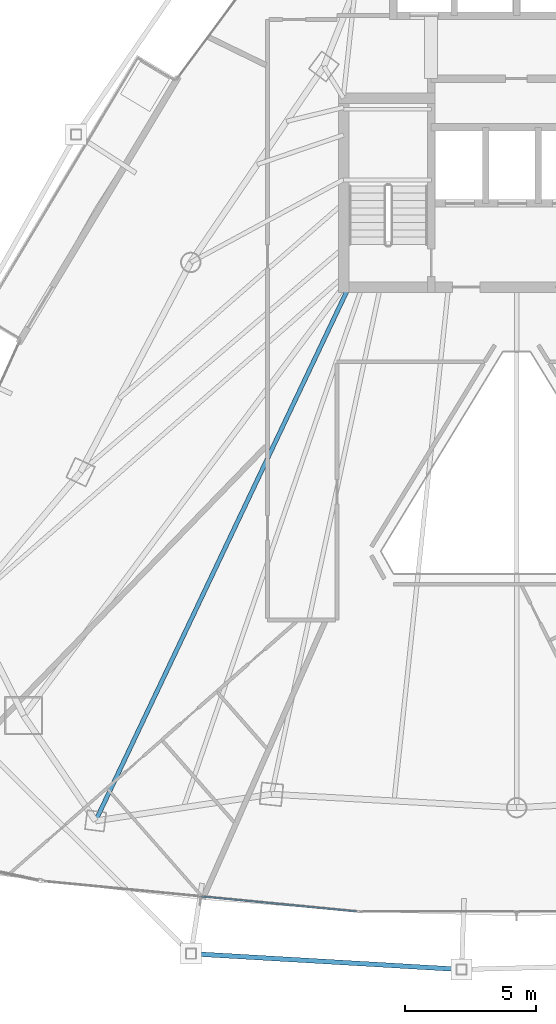
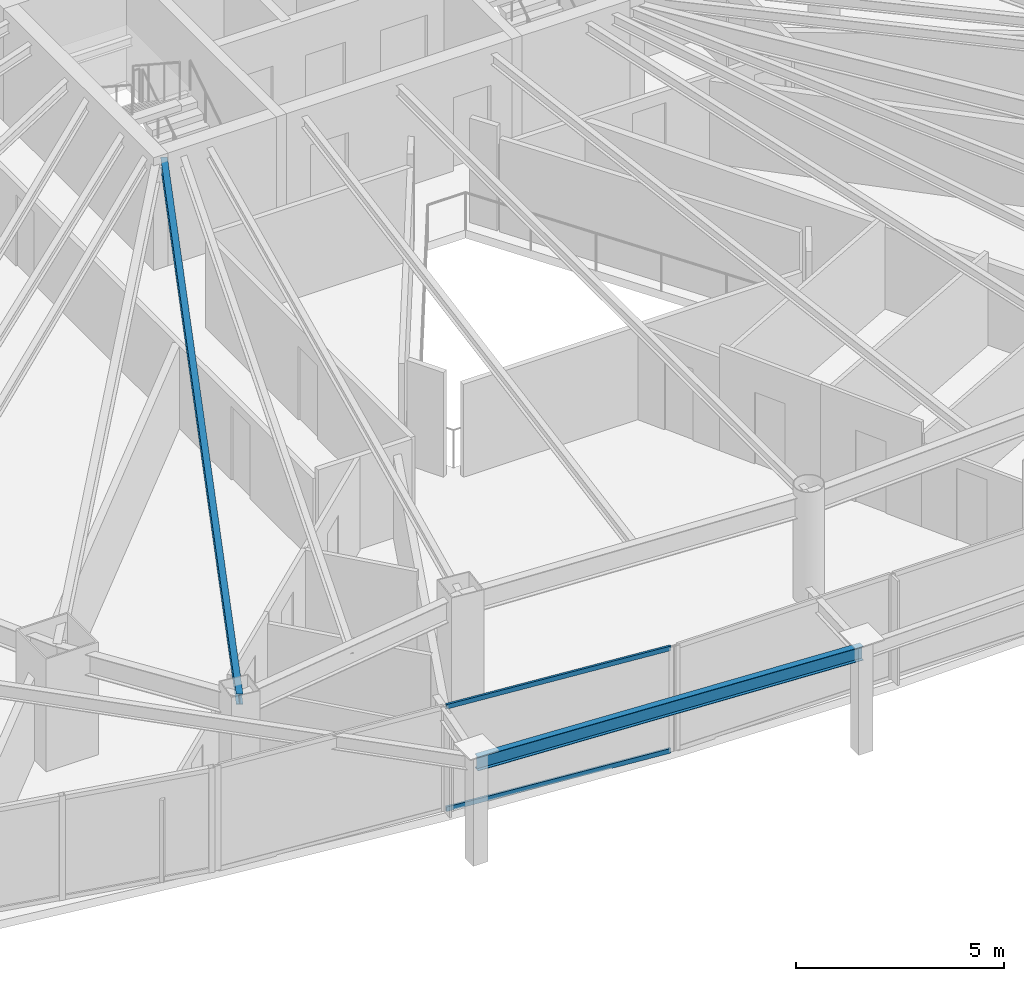
# One storey, part 6 of 31: 2 beams, 2 members, 1 element without a shape of its own.
"""IFC4 building model written with IfcOpenShell, lengths in metres."""

import ifcopenshell
import ifcopenshell.guid

model = None  # the IFC model being written
_history = None  # IfcOwnerHistory: only IFC2X3 demands one
_inside = {}  # id of a spatial element -> (the spatial element, [elements in it])
_under = {}  # id of a project, library or spatial element -> (it, [spatial elements below it])
_declared = {}  # id of a project -> (the project, [libraries it declares])
_typed = {}  # id of a type object -> (the type object, [elements of that type])
_made_of = {}  # id of a material, layer set ... -> (it, [elements and type objects made of it])


def new_model(schema):
    """Start an empty IFC model of exactly this schema.

    Asked for "IFC4X3", IfcOpenShell would pick the latest addendum, in which some entities
    have other attributes; the version numbers below select the first issue.
    IFC2X3 requires an IfcOwnerHistory on every rooted entity: one is made here for all.
    """
    global model, _history
    if schema == "IFC4X3":
        model = ifcopenshell.file(schema_version=(4, 3, 0, 0))
    else:
        model = ifcopenshell.file(schema=schema)
    _inside.clear()
    _under.clear()
    _declared.clear()
    _typed.clear()
    _made_of.clear()
    _history = None
    if model.schema == "IFC2X3":
        org = make("IfcOrganization", Name="unknown")
        user = make(
            "IfcPersonAndOrganization",
            ThePerson=make("IfcPerson", FamilyName="unknown"),
            TheOrganization=org,
        )
        app = make(
            "IfcApplication",
            ApplicationDeveloper=org,
            Version="unknown",
            ApplicationFullName="unknown",
            ApplicationIdentifier="unknown",
        )
        _history = make(
            "IfcOwnerHistory",
            OwningUser=user,
            OwningApplication=app,
            ChangeAction="ADDED",
            CreationDate=0,
        )
    return model


def make(cls, **values):
    """One entity of the class cls with the attributes given. An attribute that is None is left unset."""
    return model.create_entity(
        cls, **{name: value for name, value in values.items() if value is not None}
    )


def rooted(cls, **values):
    """An entity with a GlobalId (a new one), such as an element, a storey or a relation."""
    return make(cls, GlobalId=ifcopenshell.guid.new(), OwnerHistory=_history, **values)


def si_unit(unit_type, name, prefix=None):
    """IfcSIUnit, for example si_unit("LENGTHUNIT", "METRE", prefix="MILLI")."""
    return make("IfcSIUnit", UnitType=unit_type, Prefix=prefix, Name=name)


def assignment(units):
    """IfcUnitAssignment: the units of a project."""
    return None if units is None else make("IfcUnitAssignment", Units=units)


def point(xyz):
    """IfcCartesianPoint."""
    return None if xyz is None else make("IfcCartesianPoint", Coordinates=xyz)


def direction(xyz):
    """IfcDirection."""
    return None if xyz is None else make("IfcDirection", DirectionRatios=xyz)


def frame(location, z_axis=None, x_axis=None):
    """IfcAxis2Placement3D, a coordinate frame: its origin and axes. An axis left out is left unset."""
    return make(
        "IfcAxis2Placement3D",
        Location=point(location),
        Axis=direction(z_axis),
        RefDirection=direction(x_axis),
    )


def frame_2d(location, x_axis=None):
    """IfcAxis2Placement2D, a coordinate frame in the plane: its origin and x axis."""
    return make(
        "IfcAxis2Placement2D", Location=point(location), RefDirection=direction(x_axis)
    )


def origin():
    """The frame at (0, 0, 0) with its axes left unset."""
    return frame((0.0, 0.0, 0.0))


def origin_2d():
    """The frame at (0, 0) in the plane with its x axis left unset."""
    return frame_2d((0.0, 0.0))


def place(relative_to, where):
    """IfcLocalPlacement: puts the frame where relative to a parent placement (None: the world)."""
    return make(
        "IfcLocalPlacement", PlacementRelTo=relative_to, RelativePlacement=where
    )


def context(
    kind, dimensions, precision=None, world=None, true_north=None, identifier=None
):
    """IfcGeometricRepresentationContext, for example the 3D "Model" context."""
    return make(
        "IfcGeometricRepresentationContext",
        ContextIdentifier=identifier,
        ContextType=kind,
        CoordinateSpaceDimension=dimensions,
        Precision=precision,
        WorldCoordinateSystem=world,
        TrueNorth=true_north,
    )


def subcontext(parent, identifier, kind, view, scale=None):
    """IfcGeometricRepresentationSubContext, for example "Body" below "Model"."""
    return make(
        "IfcGeometricRepresentationSubContext",
        ContextIdentifier=identifier,
        ContextType=kind,
        ParentContext=parent,
        TargetScale=scale,
        TargetView=view,
    )


def project(units=None, contexts=None):
    """IfcProject with its units and contexts."""
    return rooted(
        "IfcProject",
        Name="project",
        RepresentationContexts=contexts,
        UnitsInContext=assignment(units),
    )


def spatial(cls, under=None, at=None, **own):
    """A site, building, storey or space (cls), placed at a placement, below another one or the project."""
    s = rooted(cls, ObjectPlacement=at, **own)
    if under is not None:
        _under.setdefault(under.id(), (under, []))[1].append(s)
    return s


def profile(cls, at=None, kind="AREA", **sizes):
    """A parametric profile (cls). Its sizes go by their IFC names, for example OverallWidth=200.0."""
    return make(cls, ProfileType=kind, Position=at, **sizes)


def hollow_rectangle(**sizes):
    """IfcRectangleHollowProfileDef."""
    return profile("IfcRectangleHollowProfileDef", **sizes)


def i_section(**sizes):
    """IfcIShapeProfileDef."""
    return profile("IfcIShapeProfileDef", **sizes)


def extrude(swept, where, along, depth):
    """IfcExtrudedAreaSolid: the profile swept, set in the frame where, extruded along a direction by depth."""
    return make(
        "IfcExtrudedAreaSolid",
        SweptArea=swept,
        Position=where,
        ExtrudedDirection=direction(along),
        Depth=depth,
    )


def shape(context_of_items, identifier, shape_type, items):
    """IfcShapeRepresentation: the items that make up one representation, for example the "Body"."""
    return make(
        "IfcShapeRepresentation",
        ContextOfItems=context_of_items,
        RepresentationIdentifier=identifier,
        RepresentationType=shape_type,
        Items=items,
    )


def material(Name=None, Category=None):
    """IfcMaterial."""
    return make("IfcMaterial", Name=Name, Category=Category)


def layer(
    of_material, thickness, ventilated=None, Name=None, Category=None, Priority=None
):
    """IfcMaterialLayer: one layer of a wall or slab, of a material (None: an air gap)."""
    return make(
        "IfcMaterialLayer",
        Material=of_material,
        LayerThickness=thickness,
        IsVentilated=ventilated,
        Name=Name,
        Category=Category,
        Priority=Priority,
    )


def layer_set(layers, Name=None):
    """IfcMaterialLayerSet."""
    return make("IfcMaterialLayerSet", MaterialLayers=layers, LayerSetName=Name)


def material_profile(
    of_material, cross_section, Name=None, Category=None, Priority=None
):
    """IfcMaterialProfile: a cross section and its material."""
    return make(
        "IfcMaterialProfile",
        Name=Name,
        Material=of_material,
        Profile=cross_section,
        Priority=Priority,
        Category=Category,
    )


def profile_set(profiles, Name=None, composite=None):
    """IfcMaterialProfileSet."""
    return make(
        "IfcMaterialProfileSet",
        Name=Name,
        MaterialProfiles=profiles,
        CompositeProfile=composite,
    )


def made_of(thing, what):
    """Note that an element or type object is made of a material, layer set ...; save() writes the relation."""
    if what is not None:
        _made_of.setdefault(what.id(), (what, []))[1].append(thing)
    return thing


def type_object(cls, material=None, **own):
    """A type object (cls), such as IfcWallType, which elements share."""
    return made_of(rooted(cls, **own), material)


def element(
    cls,
    number,
    at=None,
    inside=None,
    cuts=None,
    type_object=None,
    material=None,
    context=None,
    identifier="Body",
    shape_type=None,
    held_by="IfcProductDefinitionShape",
    body=None,
    shapes=None,
    **own,
):
    """One element of the class cls, such as IfcWall. Its Tag is "e" and its number.

    at: its placement. inside: the storey or other place that contains it. cuts: it is an
    opening in that element (IfcRelVoidsElement). A single representation is given by context,
    identifier, shape_type and body (its items); several are given by shapes. held_by: the class
    of the entity that holds the representations. save() writes the other relations.
    """
    e = rooted(cls, Tag="e%d" % number, ObjectPlacement=at, **own)
    if body is not None:
        shapes = [shape(context, identifier, shape_type, body)]
    if shapes is not None:
        e.Representation = make(held_by, Representations=shapes)
    if inside is not None:
        _inside.setdefault(inside.id(), (inside, []))[1].append(e)
    if cuts is not None:
        rooted(
            "IfcRelVoidsElement", RelatingBuildingElement=cuts, RelatedOpeningElement=e
        )
    if type_object is not None:
        _typed.setdefault(type_object.id(), (type_object, []))[1].append(e)
    return made_of(e, material)


def aggregate(whole, parts):
    """IfcRelAggregates: a whole, such as a stair, and the parts it consists of."""
    return rooted("IfcRelAggregates", RelatingObject=whole, RelatedObjects=parts)


def save(model, path):
    """Write the relations noted so far, then the file.

    IfcRelAggregates (storeys below a building ...), IfcRelContainedInSpatialStructure (elements
    in a storey), IfcRelDefinesByType, IfcRelAssociatesMaterial and IfcRelDeclares: one each for
    every whole, place, type object, material and project.
    """
    for whole, parts in _under.values():
        aggregate(whole, parts)
    for where, things in _inside.values():
        rooted(
            "IfcRelContainedInSpatialStructure",
            RelatedElements=things,
            RelatingStructure=where,
        )
    for kind, things in _typed.values():
        rooted("IfcRelDefinesByType", RelatedObjects=things, RelatingType=kind)
    for what, things in _made_of.values():
        rooted("IfcRelAssociatesMaterial", RelatedObjects=things, RelatingMaterial=what)
    for by, libraries in _declared.values():
        rooted("IfcRelDeclares", RelatingContext=by, RelatedDefinitions=libraries)
    model.write(path)


model = new_model("IFC4")

# Units and contexts
model_context = context("Model", 3, precision=1e-05, world=origin(), true_north=direction((0.0, 1.0)))
body_context = subcontext(model_context, "Body", "Model", "MODEL_VIEW")
ifc_project = project(units=[si_unit("LENGTHUNIT", "METRE"), si_unit("AREAUNIT", "SQUARE_METRE"), si_unit("VOLUMEUNIT", "CUBIC_METRE"), si_unit("PLANEANGLEUNIT", "RADIAN"), si_unit("MASSUNIT", "GRAM", prefix="KILO")], contexts=[model_context])

# Site, building, storey
site_placement = place(None, origin())
site = spatial("IfcSite", under=ifc_project, at=site_placement, CompositionType="ELEMENT")
building_placement = place(site_placement, origin())
building = spatial("IfcBuilding", under=site, at=building_placement, Name="Orvanel Arch Residences", CompositionType="ELEMENT")
storey_placement = place(building_placement, frame((0.0, 0.0, 113.300048828125)))
storey = spatial("IfcBuildingStorey", under=building, at=storey_placement, Name="L31", CompositionType="ELEMENT", Elevation=113.300048828125)

# Beams
ifc_material_1 = material(Name="Structural steel AS/NZS 3679.1 Grade 300 (300 MPa)", Category="steel")
ifc_material_profile_1 = material_profile(ifc_material_1, i_section(OverallWidth=0.1650390625, OverallDepth=0.303955078125, WebThickness=0.006103515625, FlangeThickness=0.01025390625, at=origin_2d()), Name="310UB40.4")
ifc_profile_set_1 = profile_set([ifc_material_profile_1], Name="Structural steel AS/NZS 3679.1 Grade 300 (300 MPa)")
beam_type_1 = type_object("IfcBeamType", Name="BJ-310UB", PredefinedType="JOIST", material=ifc_profile_set_1)
beam_1_placement = place(storey_placement, frame((26.60009765625, 26.699951171875, 2.907958984375), z_axis=(-0.428614365266, -0.903487534993, 0.0), x_axis=(0.903487534993, -0.428614365266, 0.0)))
element("IfcBeam", 1, at=beam_1_placement, inside=storey, type_object=beam_type_1, Name="L31 MSW Wing Floor Joist", PredefinedType="JOIST", context=body_context, shape_type="SweptSolid", body=[
    extrude(i_section(OverallWidth=0.1650390625, OverallDepth=0.303955078125, WebThickness=0.006103515625, FlangeThickness=0.01025390625, at=origin_2d()), origin(), (0.0, 0.0, 1.0), 22.535888671875),
])
ifc_material_profile_2 = material_profile(ifc_material_1, i_section(OverallWidth=0.177978515625, OverallDepth=0.406005859375, WebThickness=0.0078125, FlangeThickness=0.0126953125, at=origin_2d()), Name="410UB59.7")
ifc_profile_set_2 = profile_set([ifc_material_profile_2], Name="Structural steel AS/NZS 3679.1 Grade 300 (300 MPa)")
beam_type_2 = type_object("IfcBeamType", Name="OB-410UB-EXT", PredefinedType="SPANDREL", material=ifc_profile_set_2)
beam_2_placement = place(storey_placement, frame((20.576904296875, 1.27392578125, 2.85693359375), z_axis=(0.998299188296, -0.058298633324, 0.0), x_axis=(0.058298633324, 0.998299188296, 0.0)))
element("IfcBeam", 2, at=beam_2_placement, inside=storey, type_object=beam_type_2, Name="L31 Outer Perimeter Floor Ring Beam 05", PredefinedType="SPANDREL", context=body_context, shape_type="SweptSolid", body=[
    extrude(i_section(OverallWidth=0.177978515625, OverallDepth=0.406005859375, WebThickness=0.0078125, FlangeThickness=0.0126953125, at=origin_2d()), origin(), (0.0, 0.0, 1.0), 10.34375),
])

# Curtain wall, members
ifc_material_2 = material(Name="Bronze-anodised aluminium AA6063-T6", Category="aluminium")
ifc_layer = layer(ifc_material_2, 0.179931640625)
ifc_layer_set = layer_set([ifc_layer], Name="Bronze-anodised aluminium AA6063-T6")
curtain_wall_type = type_object("IfcCurtainWallType", Name="CW3-MID-SYS", PredefinedType="NOTDEFINED", material=ifc_layer_set)
curtain_wall_placement = place(storey_placement, origin())
curtain_wall = element("IfcCurtainWall", 3, at=curtain_wall_placement, inside=storey, type_object=curtain_wall_type, Name="L31 CW3-MID-SYS Unitised Curtain Wall", PredefinedType="NOTDEFINED")
ifc_material_profile_3 = material_profile(ifc_material_2, hollow_rectangle(XDim=0.06005859375, YDim=0.135009765625, WallThickness=0.00390625, at=origin_2d()), Name="ALU135x60x4")
ifc_profile_set_3 = profile_set([ifc_material_profile_3], Name="Bronze-anodised aluminium AA6063-T6")
member_type = type_object("IfcMemberType", Name="TRN-135x60", PredefinedType="USERDEFINED", material=ifc_profile_set_3)
member_1_placement = place(storey_placement, frame((20.98828125, 3.45654296875, 0.030029296875), z_axis=(0.995382573688, -0.095987144967, 0.0), x_axis=(0.095987144967, 0.995382573688, 0.0)))
member_1 = element("IfcMember", 4, at=member_1_placement, type_object=member_type, Name="CW-S3 transom 2.1", ObjectType="TRANSOM", PredefinedType="USERDEFINED", context=body_context, shape_type="SweptSolid", body=[
    extrude(hollow_rectangle(XDim=0.06005859375, YDim=0.135009765625, WallThickness=0.00390625, at=origin_2d()), origin(), (0.0, 0.0, 1.0), 5.92626953125),
])
member_2_placement = place(storey_placement, frame((20.98828125, 3.45654296875, 3.030029296875), z_axis=(0.995382573688, -0.095987144967, 0.0), x_axis=(0.095987144967, 0.995382573688, 0.0)))
member_2 = element("IfcMember", 5, at=member_2_placement, type_object=member_type, Name="CW-S3 transom 2.2", ObjectType="TRANSOM", PredefinedType="USERDEFINED", context=body_context, shape_type="SweptSolid", body=[
    extrude(hollow_rectangle(XDim=0.06005859375, YDim=0.135009765625, WallThickness=0.00390625, at=origin_2d()), origin(), (0.0, 0.0, 1.0), 5.92626953125),
])
aggregate(curtain_wall, [member_1, member_2])

save(model, "model.ifc")
